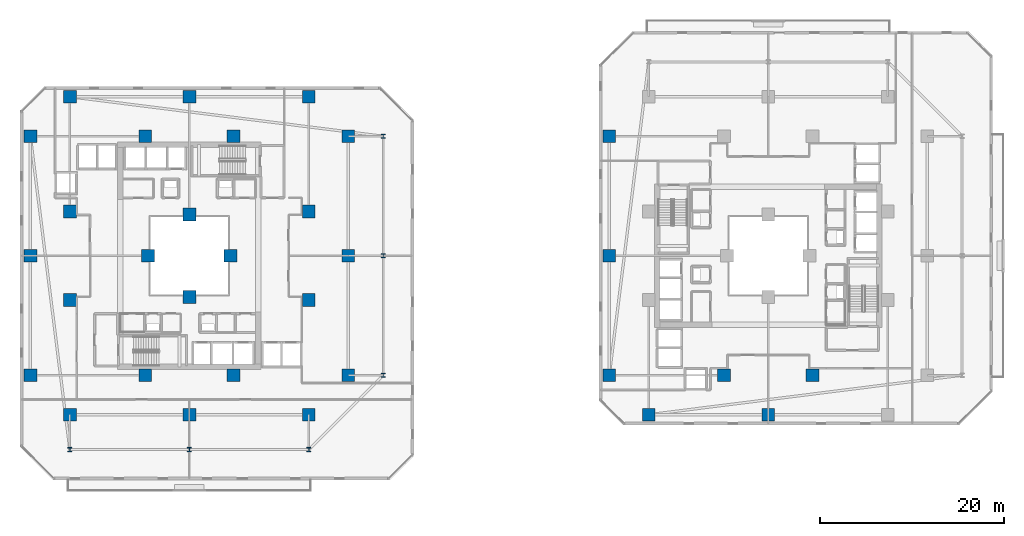
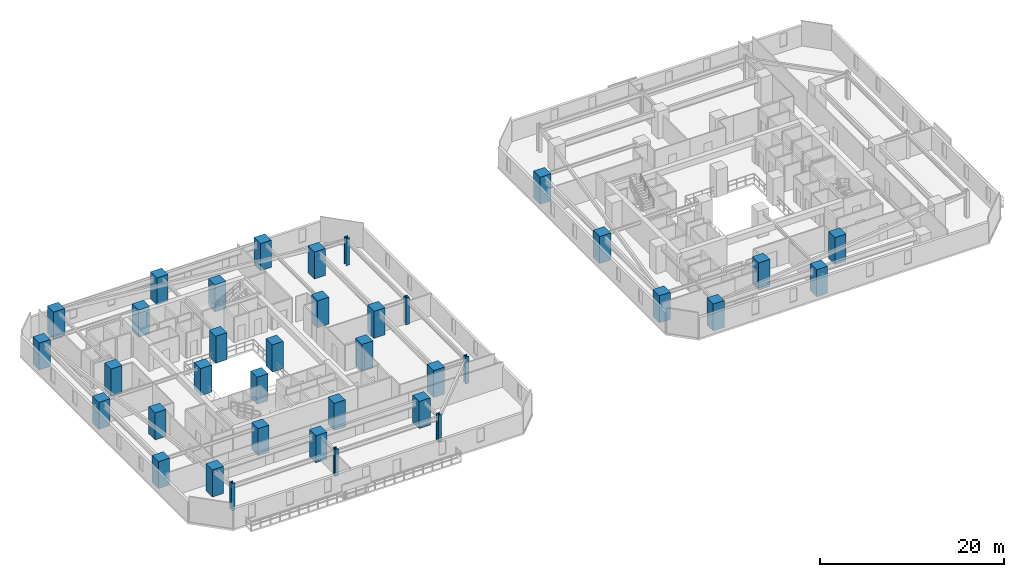
# One storey, part 1 of 34: 37 columns.
"""IFC4 building model written with IfcOpenShell, lengths in metres."""

from ifc_helpers import new_model, si_unit, direction, frame, origin, origin_2d, place, context, subcontext, project, spatial, rectangle, i_section, extrude, material, material_profile, profile_set, type_object, element, save


model = new_model("IFC4")

# Units and contexts
model_context = context("Model", 3, precision=1e-05, world=origin(), true_north=direction((0.0, 1.0)))
body_context = subcontext(model_context, "Body", "Model", "MODEL_VIEW")
ifc_project = project(units=[si_unit("LENGTHUNIT", "METRE"), si_unit("AREAUNIT", "SQUARE_METRE"), si_unit("VOLUMEUNIT", "CUBIC_METRE"), si_unit("PLANEANGLEUNIT", "RADIAN"), si_unit("MASSUNIT", "GRAM", prefix="KILO")], contexts=[model_context])

# Site, building, storey
site_placement = place(None, origin())
site = spatial("IfcSite", under=ifc_project, at=site_placement, CompositionType="ELEMENT")
building_placement = place(site_placement, origin())
building = spatial("IfcBuilding", under=site, at=building_placement, Name="Thornwick Lancets Civic Towers", CompositionType="ELEMENT")
storey_placement = place(building_placement, frame((0.0, 0.0, 57.300048828125)))
storey = spatial("IfcBuildingStorey", under=building, at=storey_placement, Name="L14", CompositionType="ELEMENT", Elevation=57.300048828125)

# Columns
ifc_material_1 = material(Name="Concrete C60/75", Category="concrete")
ifc_material_profile_1 = material_profile(ifc_material_1, rectangle(XDim=1.39990234375, YDim=1.39990234375, at=origin_2d()), Name="RC 1400x1400")
ifc_profile_set_1 = profile_set([ifc_material_profile_1], Name="Concrete C60/75")
column_type_1 = type_object("IfcColumnType", Name="COL_RC_1400", PredefinedType="COLUMN", material=ifc_profile_set_1)
for number, where, z_axis, x_axis, name in (
    (1, (12.5, 9.699951171875, 0.0), (0.0, 0.0, 1.0), (1.0, 0.0, 0.0), "L14 Spine Mega-Column A01"),
    (2, (25.5, 9.699951171875, 0.0), (0.0, 0.0, 1.0), (1.0, 0.0, 0.0), "L14 Spine Mega-Column A02"),
    (3, (38.5, 9.699951171875, 0.0), (0.0, 0.0, 1.0), (1.0, 0.0, 0.0), "L14 Spine Mega-Column A03"),
    (4, (42.800048828125, 14.0, 0.0), (0.0, 0.0, 1.0), (1.0, 0.0, 0.0), "L14 Spine Mega-Column A04"),
    (5, (42.800048828125, 27.0, 0.0), (0.0, 0.0, 1.0), (1.0, 0.0, 0.0), "L14 Spine Mega-Column A05"),
    (6, (42.800048828125, 40.0, 0.0), (0.0, 0.0, 1.0), (1.0, 0.0, 0.0), "L14 Spine Mega-Column A06"),
    (7, (12.5, 44.300048828125, 0.0), (0.0, 0.0, 1.0), (1.0, 0.0, 0.0), "L14 Spine Mega-Column A07"),
    (8, (25.5, 44.300048828125, 0.0), (0.0, 0.0, 1.0), (1.0, 0.0, 0.0), "L14 Spine Mega-Column A08"),
    (9, (38.5, 44.300048828125, 0.0), (0.0, 0.0, 1.0), (1.0, 0.0, 0.0), "L14 Spine Mega-Column A09"),
    (10, (8.199951171875, 14.0, 0.0), (0.0, 0.0, 1.0), (1.0, 0.0, 0.0), "L14 Spine Mega-Column A10"),
    (11, (8.199951171875, 27.0, 0.0), (0.0, 0.0, 1.0), (1.0, 0.0, 0.0), "L14 Spine Mega-Column A11"),
    (12, (8.199951171875, 40.0, 0.0), (0.0, 0.0, 1.0), (1.0, 0.0, 0.0), "L14 Spine Mega-Column A12"),
    (13, (12.5, 22.199951171875, 0.0), (0.0, 0.0, 1.0), (1.0, 0.0, 0.0), "L14 Spine Mega-Column A13"),
    (14, (38.5, 22.199951171875, 0.0), (0.0, 0.0, 1.0), (1.0, 0.0, 0.0), "L14 Spine Mega-Column A14"),
    (15, (12.5, 31.800048828125, 0.0), (0.0, 0.0, 1.0), (1.0, 0.0, 0.0), "L14 Spine Mega-Column A15"),
    (16, (38.5, 31.800048828125, 0.0), (0.0, 0.0, 1.0), (1.0, 0.0, 0.0), "L14 Spine Mega-Column A16"),
    (17, (20.699951171875, 14.0, 0.0), (0.0, 0.0, 1.0), (1.0, 0.0, 0.0), "L14 Spine Mega-Column A17"),
    (18, (30.300048828125, 14.0, 0.0), (0.0, 0.0, 1.0), (1.0, 0.0, 0.0), "L14 Spine Mega-Column A18"),
    (19, (20.699951171875, 40.0, 0.0), (0.0, 0.0, 1.0), (1.0, 0.0, 0.0), "L14 Spine Mega-Column A19"),
    (20, (30.300048828125, 40.0, 0.0), (0.0, 0.0, 1.0), (1.0, 0.0, 0.0), "L14 Spine Mega-Column A20"),
    (21, (25.5, 22.5, 0.0), (0.0, 0.0, 1.0), (1.0, 0.0, 0.0), "L14 Spine Mega-Column A21"),
    (22, (25.5, 31.5, 0.0), (0.0, 0.0, 1.0), (1.0, 0.0, 0.0), "L14 Spine Mega-Column A22"),
    (23, (21.0, 27.0, 0.0), (0.0, 0.0, 1.0), (1.0, 0.0, 0.0), "L14 Spine Mega-Column A23"),
    (24, (30.0, 27.0, 0.0), (0.0, 0.0, 1.0), (1.0, 0.0, 0.0), "L14 Spine Mega-Column A24"),
    (25, (71.199951171875, 14.0, 0.0), (0.0, 0.0, 1.0), (1.0, 0.0, 0.0), "L14 Spine Mega-Column B07"),
    (26, (71.199951171875, 27.0, 0.0), (0.0, 0.0, 1.0), (1.0, 0.0, 0.0), "L14 Spine Mega-Column B08"),
    (27, (71.199951171875, 40.0, 0.0), (0.0, 0.0, 1.0), (1.0, 0.0, 0.0), "L14 Spine Mega-Column B09"),
    (28, (88.5, 9.699951171875, 0.0), (0.0, 0.0, 1.0), (1.0, 0.0, 0.0), "L14 Spine Mega-Column B11"),
    (29, (75.5, 9.699951171875, 0.0), (0.0, 0.0, 1.0), (1.0, 0.0, 0.0), "L14 Spine Mega-Column B12"),
    (30, (93.300048828125, 14.0, 0.0), (0.0, 0.0, 1.0), (1.0, 0.0, 0.0), "L14 Spine Mega-Column B13"),
    (31, (83.699951171875, 14.0, 0.0), (0.0, 0.0, 1.0), (1.0, 0.0, 0.0), "L14 Spine Mega-Column B15"),
):
    element("IfcColumn", number, at=place(storey_placement, frame(where, z_axis=z_axis, x_axis=x_axis)), inside=storey, type_object=column_type_1, Name=name, PredefinedType="COLUMN", context=body_context, shape_type="SweptSolid", body=[
        extrude(rectangle(XDim=1.39990234375, YDim=1.39990234375, at=origin_2d()), origin(), (0.0, 0.0, 1.0), 3.599853515625),
    ])
ifc_material_2 = material(Name="Steel S460M", Category="steel")
ifc_material_profile_2 = material_profile(ifc_material_2, i_section(OverallWidth=0.424072265625, OverallDepth=0.474609375, WebThickness=0.047607421875, FlangeThickness=0.076904296875, FilletRadius=0.01513671875, at=origin_2d()), Name="UKC 356x406x634")
ifc_profile_set_2 = profile_set([ifc_material_profile_2], Name="Steel S460M")
column_type_2 = type_object("IfcColumnType", Name="COL_UKC_634", PredefinedType="COLUMN", material=ifc_profile_set_2)
for number, where, z_axis, x_axis, name in (
    (32, (12.5, 5.89990234375, 0.0), (0.0, 0.0, 1.0), (1.0, 0.0, 0.0), "L14 Block Perimeter Column A01"),
    (33, (25.5, 5.89990234375, 0.0), (0.0, 0.0, 1.0), (1.0, 0.0, 0.0), "L14 Block Perimeter Column A02"),
    (34, (38.5, 5.89990234375, 0.0), (0.0, 0.0, 1.0), (1.0, 0.0, 0.0), "L14 Block Perimeter Column A03"),
    (35, (46.60009765625, 14.0, 0.0), (0.0, 0.0, 1.0), (1.0, 0.0, 0.0), "L14 Block Perimeter Column A04"),
    (36, (46.60009765625, 27.0, 0.0), (0.0, 0.0, 1.0), (1.0, 0.0, 0.0), "L14 Block Perimeter Column A05"),
    (37, (46.60009765625, 40.0, 0.0), (0.0, 0.0, 1.0), (1.0, 0.0, 0.0), "L14 Block Perimeter Column A06"),
):
    element("IfcColumn", number, at=place(storey_placement, frame(where, z_axis=z_axis, x_axis=x_axis)), inside=storey, type_object=column_type_2, Name=name, PredefinedType="COLUMN", context=body_context, shape_type="SweptSolid", body=[
        extrude(i_section(OverallWidth=0.424072265625, OverallDepth=0.474609375, WebThickness=0.047607421875, FlangeThickness=0.076904296875, FilletRadius=0.01513671875, at=origin_2d()), origin(), (0.0, 0.0, 1.0), 3.599853515625),
    ])

save(model, "model.ifc")
